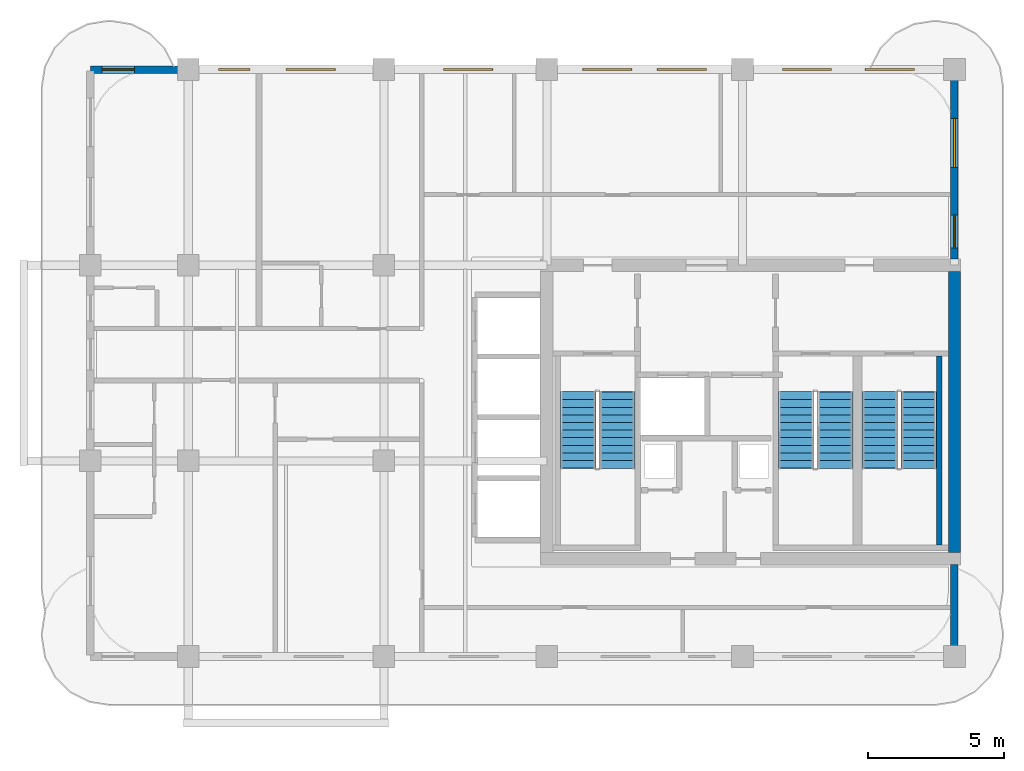
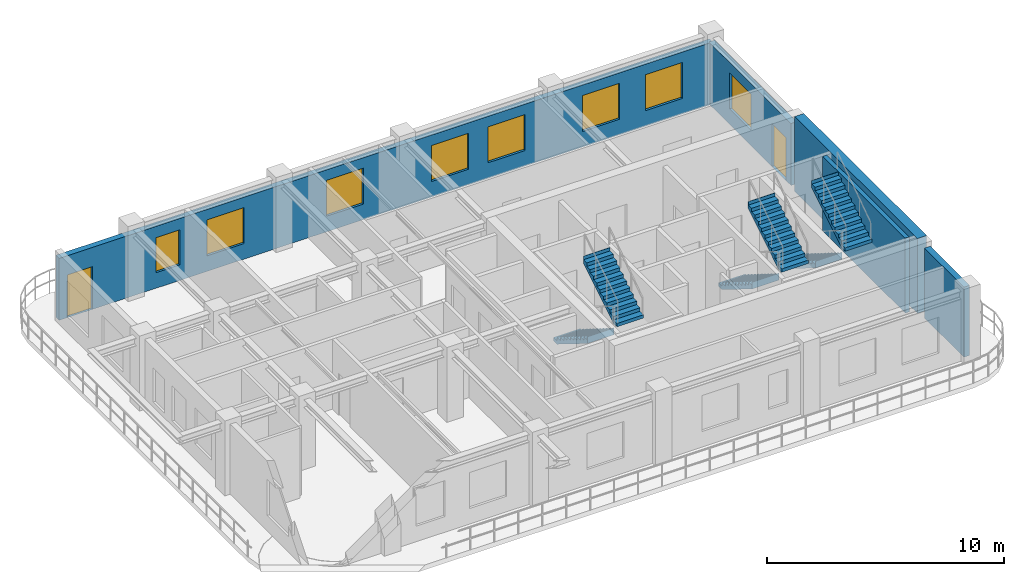
# One storey, part 5 of 7: 8 windows, 6 stair flights, 5 walls, 2 doors, 10 openings, 3 elements without a shape of their own.
"""IFC4 building model written with IfcOpenShell, lengths in metres."""

from ifc_helpers import new_model, si_unit, derived_unit, direction, frame, frame_2d, origin, place, context, subcontext, project, spatial, polyline, rectangle, outline, extrude, source, transform, mapped, material, layer, layer_set, type_object, type_shapes, element, fill, aggregate, save


model = new_model("IFC4")

# Units and contexts
model_context = context("Model", 3, precision=1e-05, world=origin(), true_north=direction((0.0, 1.0)))
body_context = subcontext(model_context, "Body", "Model", "MODEL_VIEW")
ifc_project = project(units=[si_unit("LENGTHUNIT", "METRE"), si_unit("AREAUNIT", "SQUARE_METRE"), si_unit("VOLUMEUNIT", "CUBIC_METRE"), si_unit("PLANEANGLEUNIT", "RADIAN"), si_unit("MASSUNIT", "GRAM", prefix="KILO"), si_unit("THERMODYNAMICTEMPERATUREUNIT", "KELVIN"), si_unit("POWERUNIT", "WATT"), derived_unit("THERMALTRANSMITTANCEUNIT", [(si_unit("POWERUNIT", "WATT"), 1), (si_unit("AREAUNIT", "SQUARE_METRE"), -1), (si_unit("THERMODYNAMICTEMPERATUREUNIT", "KELVIN"), -1)])], contexts=[model_context])

# Site, building, storey
site_placement = place(None, origin())
site = spatial("IfcSite", under=ifc_project, at=site_placement, CompositionType="ELEMENT")
building_placement = place(site_placement, origin())
building = spatial("IfcBuilding", under=site, at=building_placement, Name="Zahravan Archway Hotel and Residences", CompositionType="ELEMENT")
storey_placement = place(building_placement, frame((0.0, 0.0, 259.64990234375)))
storey = spatial("IfcBuildingStorey", under=building, at=storey_placement, Name="L65", CompositionType="ELEMENT", Elevation=259.64990234375)

# Walls
ifc_material_1 = material(Name="Concrete C50/60", Category="concrete")
ifc_layer_1 = layer(ifc_material_1, 0.449951171875, Name="Concrete C50/60", Category="concrete")
ifc_layer_set_1 = layer_set([ifc_layer_1], Name="Concrete C50/60")
wall_type_1 = type_object("IfcWallType", Name="CW-CORE-450", PredefinedType="SHEAR", material=ifc_layer_set_1)
wall_1_placement = place(storey_placement, frame((49.800048828125, 3.824951171875, 0.0), z_axis=(0.0, 0.0, 1.0), x_axis=(0.0, 1.0, 0.0)))
element("IfcWall", 1, at=wall_1_placement, inside=storey, type_object=wall_type_1, Name="L65 Core A Shear E Wall 450 mm", PredefinedType="SHEAR", context=body_context, shape_type="SweptSolid", body=[
    extrude(rectangle(XDim=10.35009765625, YDim=0.449951171875, at=frame_2d((5.175048828125, 0.0))), origin(), (0.0, 0.0, 1.0), 3.85009765625),
])
ifc_material_2 = material(Name="Honed Red-Ochre Sandstone & Insulated Block", Category="masonry")
ifc_layer_2 = layer(ifc_material_2, 0.280029296875, Name="Honed Red-Ochre Sandstone & Insulated Block", Category="masonry")
ifc_layer_set_2 = layer_set([ifc_layer_2], Name="Honed Red-Ochre Sandstone & Insulated Block")
wall_type_2 = type_object("IfcWallType", Name="EW-LOG-280", PredefinedType="SOLIDWALL", material=ifc_layer_set_2)
wall_2_placement = place(storey_placement, frame((49.800048828125, 0.050048828125, 0.0), z_axis=(0.0, 0.0, 1.0), x_axis=(0.0, 1.0, 0.0)))
element("IfcWall", 2, at=wall_2_placement, inside=storey, type_object=wall_type_2, Name="L65 Exterior Sandstone Wall WA-ES", PredefinedType="SOLIDWALL", context=body_context, shape_type="SweptSolid", body=[
    extrude(rectangle(XDim=3.329833984375, YDim=0.280029296875, at=frame_2d((1.6650390625, 0.0))), origin(), (0.0, 0.0, 1.0), 3.60009765625),
])

# Wall, openings, door, window
wall_3_placement = place(storey_placement, frame((49.800048828125, 14.6201171875, 0.0), z_axis=(0.0, 0.0, 1.0), x_axis=(0.0, 1.0, 0.0)))
wall_3 = element("IfcWall", 3, at=wall_3_placement, inside=storey, type_object=wall_type_2, Name="L65 Exterior Sandstone Wall WA-EN", PredefinedType="SOLIDWALL", context=body_context, shape_type="SweptSolid", body=[
    extrude(rectangle(XDim=6.929931640625, YDim=0.280029296875, at=frame_2d((3.46484375, 0.0))), origin(), (0.0, 0.0, 1.0), 3.18505859375),
])
opening_1_placement = place(wall_3_placement, frame((0.419921875, 0.0, 0.0)))
opening_1 = element("IfcOpeningElement", 4, at=opening_1_placement, cuts=wall_3, Name="Opening ED-BL1", PredefinedType="OPENING", context=body_context, shape_type="SweptSolid", body=[
    extrude(rectangle(XDim=1.199951171875, YDim=2.199951171875, at=frame_2d((0.60009765625, 1.10009765625))), frame((0.0, 0.14990234375, 0.0), z_axis=(0.0, -1.0, 0.0), x_axis=(1.0, 0.0, 0.0)), (0.0, 0.0, 1.0), 0.300048828125),
])
opening_2_placement = place(wall_3_placement, frame((3.384033203125, 0.0, 0.800048828125)))
opening_2 = element("IfcOpeningElement", 5, at=opening_2_placement, cuts=wall_3, Name="Opening W-02", PredefinedType="OPENING", context=body_context, shape_type="SweptSolid", body=[
    extrude(rectangle(XDim=1.800048828125, YDim=1.85009765625, at=frame_2d((0.89990234375, 0.925048828125))), frame((0.0, 0.14990234375, 0.0), z_axis=(0.0, -1.0, 0.0), x_axis=(1.0, 0.0, 0.0)), (0.0, 0.0, 1.0), 0.300048828125),
])
ifc_material_3 = material(Name="Bronze-Anodized Glazed Aluminium", Category="aluminium")
door_type = type_object("IfcDoorType", Name="ED-BALC-1200", OperationType="SLIDING_TO_LEFT", PredefinedType="DOOR", material=ifc_material_3)
shared_shape_1 = source(origin(), body_context, "Body", "SweptSolid", [
    extrude(rectangle(XDim=1.199951171875, YDim=2.199951171875, at=frame_2d((0.60009765625, 1.10009765625))), frame((0.0, 0.02490234375, 0.0), z_axis=(0.0, -1.0, 0.0), x_axis=(1.0, 0.0, 0.0)), (0.0, 0.0, 1.0), 0.050048828125),
])
type_shapes(door_type, [shared_shape_1])
door_1_placement = place(opening_1_placement, origin())
door_1 = element("IfcDoor", 6, at=door_1_placement, inside=storey, type_object=door_type, Name="L65 Outdoor Access Sliding Door (SLB-BAL-L65-EA)", OperationType="SLIDING_TO_LEFT", OverallHeight=2.199951171875, OverallWidth=1.199951171875, PredefinedType="DOOR", context=body_context, shape_type="MappedRepresentation", body=[
    mapped(shared_shape_1, transform((0.0, 0.0, 0.0), scale=1.0)),
])
fill(opening_1, door_1)
ifc_material_4 = material(Name="Bronze-Anodized Thermal-Break Aluminium & Low-E Glass", Category="aluminium")
window_type_1 = type_object("IfcWindowType", Name="WIN-TWR-1800", PartitioningType="DOUBLE_PANEL_VERTICAL", PredefinedType="WINDOW", material=ifc_material_4)
shared_shape_2 = source(origin(), body_context, "Body", "SweptSolid", [
    extrude(rectangle(XDim=1.800048828125, YDim=1.85009765625, at=frame_2d((0.89990234375, 0.925048828125))), frame((0.0, 0.030029296875, 0.0), z_axis=(0.0, -1.0, 0.0), x_axis=(1.0, 0.0, 0.0)), (0.0, 0.0, 1.0), 0.06005859375),
])
type_shapes(window_type_1, [shared_shape_2])
window_1_placement = place(opening_2_placement, origin())
window_1 = element("IfcWindow", 7, at=window_1_placement, inside=storey, type_object=window_type_1, Name="L65 Loggia Window 08", OverallHeight=1.85009765625, OverallWidth=1.800048828125, PartitioningType="DOUBLE_PANEL_VERTICAL", PredefinedType="WINDOW", context=body_context, shape_type="MappedRepresentation", body=[
    mapped(shared_shape_2, transform((0.0, 0.0, 0.0), scale=1.0)),
])
fill(opening_2, window_1)

# Wall, openings, door, windows
wall_4_placement = place(storey_placement, frame((18.0, 21.60009765625, 0.0), z_axis=(0.0, 0.0, 1.0), x_axis=(1.0, 0.0, 0.0)))
wall_4 = element("IfcWall", 8, at=wall_4_placement, inside=storey, type_object=wall_type_2, Name="L65 Exterior Sandstone Wall WA-N", PredefinedType="SOLIDWALL", context=body_context, shape_type="SweptSolid", body=[
    extrude(rectangle(XDim=31.800048828125, YDim=0.280029296875, at=frame_2d((15.89990234375, 0.0))), origin(), (0.0, 0.0, 1.0), 3.18505859375),
])
opening_3_placement = place(wall_4_placement, frame((0.419921875, 0.0, 0.0)))
opening_3 = element("IfcOpeningElement", 9, at=opening_3_placement, cuts=wall_4, Name="Opening ED-BL1", PredefinedType="OPENING", context=body_context, shape_type="SweptSolid", body=[
    extrude(rectangle(XDim=1.199951171875, YDim=2.199951171875, at=frame_2d((0.60009765625, 1.10009765625))), frame((0.0, 0.14990234375, 0.0), z_axis=(0.0, -1.0, 0.0), x_axis=(1.0, 0.0, 0.0)), (0.0, 0.0, 1.0), 0.300048828125),
])
opening_4_placement = place(wall_4_placement, frame((4.720947265625, 0.0, 0.800048828125)))
opening_4 = element("IfcOpeningElement", 10, at=opening_4_placement, cuts=wall_4, Name="Opening W-05", PredefinedType="OPENING", context=body_context, shape_type="SweptSolid", body=[
    extrude(rectangle(XDim=1.14990234375, YDim=1.800048828125, at=frame_2d((0.574951171875, 0.89990234375))), frame((0.0, 0.14990234375, 0.0), z_axis=(0.0, -1.0, 0.0), x_axis=(1.0, 0.0, 0.0)), (0.0, 0.0, 1.0), 0.300048828125),
])
opening_5_placement = place(wall_4_placement, frame((7.2041015625, 0.0, 0.800048828125)))
opening_5 = element("IfcOpeningElement", 11, at=opening_5_placement, cuts=wall_4, Name="Opening W-02", PredefinedType="OPENING", context=body_context, shape_type="SweptSolid", body=[
    extrude(rectangle(XDim=1.800048828125, YDim=1.85009765625, at=frame_2d((0.89990234375, 0.925048828125))), frame((0.0, 0.14990234375, 0.0), z_axis=(0.0, -1.0, 0.0), x_axis=(1.0, 0.0, 0.0)), (0.0, 0.0, 1.0), 0.300048828125),
])
opening_6_placement = place(wall_4_placement, frame((13.0009765625, 0.0, 0.800048828125)))
opening_6 = element("IfcOpeningElement", 12, at=opening_6_placement, cuts=wall_4, Name="Opening W-02", PredefinedType="OPENING", context=body_context, shape_type="SweptSolid", body=[
    extrude(rectangle(XDim=1.800048828125, YDim=1.85009765625, at=frame_2d((0.89990234375, 0.925048828125))), frame((0.0, 0.14990234375, 0.0), z_axis=(0.0, -1.0, 0.0), x_axis=(1.0, 0.0, 0.0)), (0.0, 0.0, 1.0), 0.300048828125),
])
opening_7_placement = place(wall_4_placement, frame((18.123046875, 0.0, 0.800048828125)))
opening_7 = element("IfcOpeningElement", 13, at=opening_7_placement, cuts=wall_4, Name="Opening W-02", PredefinedType="OPENING", context=body_context, shape_type="SweptSolid", body=[
    extrude(rectangle(XDim=1.800048828125, YDim=1.85009765625, at=frame_2d((0.89990234375, 0.925048828125))), frame((0.0, 0.14990234375, 0.0), z_axis=(0.0, -1.0, 0.0), x_axis=(1.0, 0.0, 0.0)), (0.0, 0.0, 1.0), 0.300048828125),
])
opening_8_placement = place(wall_4_placement, frame((20.868896484375, 0.0, 0.800048828125)))
opening_8 = element("IfcOpeningElement", 14, at=opening_8_placement, cuts=wall_4, Name="Opening W-02", PredefinedType="OPENING", context=body_context, shape_type="SweptSolid", body=[
    extrude(rectangle(XDim=1.800048828125, YDim=1.85009765625, at=frame_2d((0.89990234375, 0.925048828125))), frame((0.0, 0.14990234375, 0.0), z_axis=(0.0, -1.0, 0.0), x_axis=(1.0, 0.0, 0.0)), (0.0, 0.0, 1.0), 0.300048828125),
])
opening_9_placement = place(wall_4_placement, frame((25.47509765625, 0.0, 0.800048828125)))
opening_9 = element("IfcOpeningElement", 15, at=opening_9_placement, cuts=wall_4, Name="Opening W-02", PredefinedType="OPENING", context=body_context, shape_type="SweptSolid", body=[
    extrude(rectangle(XDim=1.800048828125, YDim=1.85009765625, at=frame_2d((0.89990234375, 0.925048828125))), frame((0.0, 0.14990234375, 0.0), z_axis=(0.0, -1.0, 0.0), x_axis=(1.0, 0.0, 0.0)), (0.0, 0.0, 1.0), 0.300048828125),
])
opening_10_placement = place(wall_4_placement, frame((28.52490234375, 0.0, 0.800048828125)))
opening_10 = element("IfcOpeningElement", 16, at=opening_10_placement, cuts=wall_4, Name="Opening W-02", PredefinedType="OPENING", context=body_context, shape_type="SweptSolid", body=[
    extrude(rectangle(XDim=1.800048828125, YDim=1.85009765625, at=frame_2d((0.89990234375, 0.925048828125))), frame((0.0, 0.14990234375, 0.0), z_axis=(0.0, -1.0, 0.0), x_axis=(1.0, 0.0, 0.0)), (0.0, 0.0, 1.0), 0.300048828125),
])
door_2_placement = place(opening_3_placement, origin())
door_2 = element("IfcDoor", 17, at=door_2_placement, inside=storey, type_object=door_type, Name="L65 Outdoor Access Sliding Door (SLB-BAL-L65-WA)", OperationType="SLIDING_TO_LEFT", OverallHeight=2.199951171875, OverallWidth=1.199951171875, PredefinedType="DOOR", context=body_context, shape_type="MappedRepresentation", body=[
    mapped(shared_shape_1, transform((0.0, 0.0, 0.0), scale=1.0)),
])
fill(opening_3, door_2)
window_2_placement = place(opening_5_placement, origin())
window_2 = element("IfcWindow", 18, at=window_2_placement, inside=storey, type_object=window_type_1, Name="L65 Loggia Window 10", OverallHeight=1.85009765625, OverallWidth=1.800048828125, PartitioningType="DOUBLE_PANEL_VERTICAL", PredefinedType="WINDOW", context=body_context, shape_type="MappedRepresentation", body=[
    mapped(shared_shape_2, transform((0.0, 0.0, 0.0), scale=1.0)),
])
fill(opening_5, window_2)
window_3_placement = place(opening_6_placement, origin())
window_3 = element("IfcWindow", 19, at=window_3_placement, inside=storey, type_object=window_type_1, Name="L65 Loggia Window 11", OverallHeight=1.85009765625, OverallWidth=1.800048828125, PartitioningType="DOUBLE_PANEL_VERTICAL", PredefinedType="WINDOW", context=body_context, shape_type="MappedRepresentation", body=[
    mapped(shared_shape_2, transform((0.0, 0.0, 0.0), scale=1.0)),
])
fill(opening_6, window_3)
window_4_placement = place(opening_7_placement, origin())
window_4 = element("IfcWindow", 20, at=window_4_placement, inside=storey, type_object=window_type_1, Name="L65 Loggia Window 12", OverallHeight=1.85009765625, OverallWidth=1.800048828125, PartitioningType="DOUBLE_PANEL_VERTICAL", PredefinedType="WINDOW", context=body_context, shape_type="MappedRepresentation", body=[
    mapped(shared_shape_2, transform((0.0, 0.0, 0.0), scale=1.0)),
])
fill(opening_7, window_4)
window_5_placement = place(opening_8_placement, origin())
window_5 = element("IfcWindow", 21, at=window_5_placement, inside=storey, type_object=window_type_1, Name="L65 Loggia Window 13", OverallHeight=1.85009765625, OverallWidth=1.800048828125, PartitioningType="DOUBLE_PANEL_VERTICAL", PredefinedType="WINDOW", context=body_context, shape_type="MappedRepresentation", body=[
    mapped(shared_shape_2, transform((0.0, 0.0, 0.0), scale=1.0)),
])
fill(opening_8, window_5)
window_6_placement = place(opening_9_placement, origin())
window_6 = element("IfcWindow", 22, at=window_6_placement, inside=storey, type_object=window_type_1, Name="L65 Loggia Window 14", OverallHeight=1.85009765625, OverallWidth=1.800048828125, PartitioningType="DOUBLE_PANEL_VERTICAL", PredefinedType="WINDOW", context=body_context, shape_type="MappedRepresentation", body=[
    mapped(shared_shape_2, transform((0.0, 0.0, 0.0), scale=1.0)),
])
fill(opening_9, window_6)
window_7_placement = place(opening_10_placement, origin())
window_7 = element("IfcWindow", 23, at=window_7_placement, inside=storey, type_object=window_type_1, Name="L65 Loggia Window 15", OverallHeight=1.85009765625, OverallWidth=1.800048828125, PartitioningType="DOUBLE_PANEL_VERTICAL", PredefinedType="WINDOW", context=body_context, shape_type="MappedRepresentation", body=[
    mapped(shared_shape_2, transform((0.0, 0.0, 0.0), scale=1.0)),
])
fill(opening_10, window_7)
window_type_2 = type_object("IfcWindowType", Name="WIN-TWR-1150", PartitioningType="SINGLE_PANEL", PredefinedType="WINDOW", material=ifc_material_4)
shared_shape_3 = source(origin(), body_context, "Body", "SweptSolid", [
    extrude(rectangle(XDim=1.14990234375, YDim=1.800048828125, at=frame_2d((0.574951171875, 0.89990234375))), frame((0.0, 0.030029296875, 0.0), z_axis=(0.0, -1.0, 0.0), x_axis=(1.0, 0.0, 0.0)), (0.0, 0.0, 1.0), 0.06005859375),
])
type_shapes(window_type_2, [shared_shape_3])
window_8_placement = place(opening_4_placement, origin())
window_8 = element("IfcWindow", 24, at=window_8_placement, inside=storey, type_object=window_type_2, Name="L65 Loggia Window 09", OverallHeight=1.800048828125, OverallWidth=1.14990234375, PartitioningType="SINGLE_PANEL", PredefinedType="WINDOW", context=body_context, shape_type="MappedRepresentation", body=[
    mapped(shared_shape_3, transform((0.0, 0.0, 0.0), scale=1.0)),
])
fill(opening_4, window_8)

# Wall
ifc_layer_3 = layer(ifc_material_1, 0.199951171875, Name="Concrete C50/60", Category="concrete")
ifc_layer_set_3 = layer_set([ifc_layer_3], Name="Concrete C50/60")
wall_type_3 = type_object("IfcWallType", Name="SW-STAIR-200", PredefinedType="SHEAR", material=ifc_layer_set_3)
wall_5_placement = place(storey_placement, frame((49.239990234375, 4.10009765625, 0.0), z_axis=(0.0, 0.0, 1.0), x_axis=(0.0, 1.0, 0.0)))
element("IfcWall", 25, at=wall_5_placement, inside=storey, type_object=wall_type_3, Name="L65 Stairwell RC Wall CA-SA3E", PredefinedType="SHEAR", context=body_context, shape_type="SweptSolid", body=[
    extrude(rectangle(XDim=6.949951171875, YDim=0.199951171875, at=frame_2d((3.47509765625, 0.0))), origin(), (0.0, 0.0, 1.0), 3.85009765625),
])

# Stair, stair flights
stair_type = type_object("IfcStairType", Name="STR-CORE-1300", PredefinedType="HALF_TURN_STAIR", material=ifc_material_1)
stair_1_placement = place(storey_placement, origin())
stair_1 = element("IfcStair", 26, at=stair_1_placement, inside=storey, type_object=stair_type, Name="L65 Core A Exit Stair 1", PredefinedType="HALF_TURN_STAIR")
ifc_layer_4 = layer(ifc_material_1, 0.199951171875, Name="Concrete C50/60", Category="concrete")
ifc_layer_set_4 = layer_set([ifc_layer_4], Name="Concrete C50/60")
stair_flight_type = type_object("IfcStairFlightType", Name="SFL-CORE-1300", PredefinedType="STRAIGHT", material=ifc_layer_set_4)
shared_shape_4 = source(origin(), body_context, "Body", "SweptSolid", [
    extrude(outline(polyline([(-0.01611328125, 0.0), (-0.01611328125, 0.175048828125), (0.280029296875, 0.175048828125), (0.280029296875, 0.35009765625), (0.56005859375, 0.35009765625), (0.56005859375, 0.52490234375), (0.840087890625, 0.52490234375), (0.840087890625, 0.699951171875), (1.1201171875, 0.699951171875), (1.1201171875, 0.875), (1.39990234375, 0.875), (1.39990234375, 1.050048828125), (1.679931640625, 1.050048828125), (1.679931640625, 1.22509765625), (1.9599609375, 1.22509765625), (1.9599609375, 1.39990234375), (2.239990234375, 1.39990234375), (2.239990234375, 1.574951171875), (2.52001953125, 1.574951171875), (2.52001953125, 1.75), (2.800048828125, 1.75), (2.800048828125, 1.925048828125), (2.816162109375, 1.925048828125), (2.816162109375, 1.5732421875), (0.28271484375, 0.0), (-0.01611328125, 0.0)])), frame((0.0, 0.64990234375, 0.0), z_axis=(0.0, -1.0, 0.0), x_axis=(1.0, 0.0, 0.0)), (0.0, 0.0, 1.0), 1.300048828125),
])
stair_flight_1_placement = place(storey_placement, frame((35.949951171875, 9.72998046875, 0.0), z_axis=(0.0, 0.0, 1.0), x_axis=(0.0, -1.0, 0.0)))
stair_flight_1 = element("IfcStairFlight", 27, at=stair_flight_1_placement, type_object=stair_flight_type, Name="ST-A1 flight 1", NumberOfRisers=11, NumberOfTreads=10, PredefinedType="STRAIGHT", RiserHeight=0.175, TreadLength=0.28, context=body_context, shape_type="MappedRepresentation", body=[
    mapped(shared_shape_4, transform((0.0, 0.0, 0.0), scale=1.0)),
])
stair_flight_2_placement = place(storey_placement, frame((37.389892578125, 6.929931640625, 1.925048828125), z_axis=(0.0, 0.0, 1.0), x_axis=(0.0, 1.0, 0.0)))
stair_flight_2 = element("IfcStairFlight", 28, at=stair_flight_2_placement, type_object=stair_flight_type, Name="ST-A1 flight 2", NumberOfRisers=11, NumberOfTreads=10, PredefinedType="STRAIGHT", RiserHeight=0.175, TreadLength=0.28, context=body_context, shape_type="MappedRepresentation", body=[
    mapped(shared_shape_4, transform((0.0, 0.0, 0.0), scale=1.0)),
])
aggregate(stair_1, [stair_flight_1, stair_flight_2])

stair_2_placement = place(storey_placement, origin())
stair_2 = element("IfcStair", 29, at=stair_2_placement, inside=storey, type_object=stair_type, Name="L65 Core A Exit Stair 2", PredefinedType="HALF_TURN_STAIR")
stair_flight_3_placement = place(storey_placement, frame((43.969970703125, 9.72998046875, 0.0), z_axis=(0.0, 0.0, 1.0), x_axis=(0.0, -1.0, 0.0)))
stair_flight_3 = element("IfcStairFlight", 30, at=stair_flight_3_placement, type_object=stair_flight_type, Name="ST-A2 flight 1", NumberOfRisers=11, NumberOfTreads=10, PredefinedType="STRAIGHT", RiserHeight=0.175, TreadLength=0.28, context=body_context, shape_type="MappedRepresentation", body=[
    mapped(shared_shape_4, transform((0.0, 0.0, 0.0), scale=1.0)),
])
stair_flight_4_placement = place(storey_placement, frame((45.409912109375, 6.929931640625, 1.925048828125), z_axis=(0.0, 0.0, 1.0), x_axis=(0.0, 1.0, 0.0)))
stair_flight_4 = element("IfcStairFlight", 31, at=stair_flight_4_placement, type_object=stair_flight_type, Name="ST-A2 flight 2", NumberOfRisers=11, NumberOfTreads=10, PredefinedType="STRAIGHT", RiserHeight=0.175, TreadLength=0.28, context=body_context, shape_type="MappedRepresentation", body=[
    mapped(shared_shape_4, transform((0.0, 0.0, 0.0), scale=1.0)),
])
aggregate(stair_2, [stair_flight_3, stair_flight_4])

stair_3_placement = place(storey_placement, origin())
stair_3 = element("IfcStair", 32, at=stair_3_placement, inside=storey, type_object=stair_type, Name="L65 Core A Exit Stair 3", PredefinedType="HALF_TURN_STAIR")
stair_flight_5_placement = place(storey_placement, frame((47.050048828125, 9.72998046875, 0.0), z_axis=(0.0, 0.0, 1.0), x_axis=(0.0, -1.0, 0.0)))
stair_flight_5 = element("IfcStairFlight", 33, at=stair_flight_5_placement, type_object=stair_flight_type, Name="ST-A3 flight 1", NumberOfRisers=11, NumberOfTreads=10, PredefinedType="STRAIGHT", RiserHeight=0.175, TreadLength=0.28, context=body_context, shape_type="MappedRepresentation", body=[
    mapped(shared_shape_4, transform((0.0, 0.0, 0.0), scale=1.0)),
])
stair_flight_6_placement = place(storey_placement, frame((48.489990234375, 6.929931640625, 1.925048828125), z_axis=(0.0, 0.0, 1.0), x_axis=(0.0, 1.0, 0.0)))
stair_flight_6 = element("IfcStairFlight", 34, at=stair_flight_6_placement, type_object=stair_flight_type, Name="ST-A3 flight 2", NumberOfRisers=11, NumberOfTreads=10, PredefinedType="STRAIGHT", RiserHeight=0.175, TreadLength=0.28, context=body_context, shape_type="MappedRepresentation", body=[
    mapped(shared_shape_4, transform((0.0, 0.0, 0.0), scale=1.0)),
])
aggregate(stair_3, [stair_flight_5, stair_flight_6])

save(model, "model.ifc")
